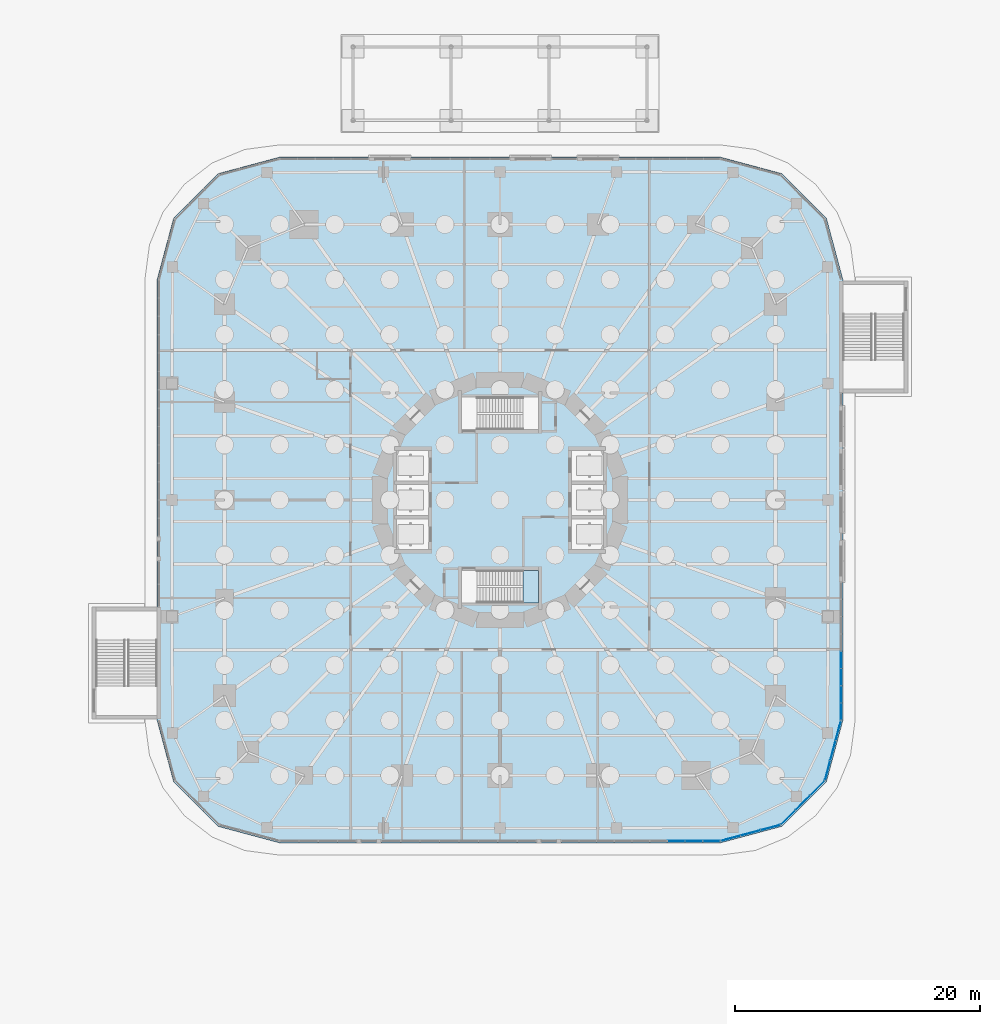
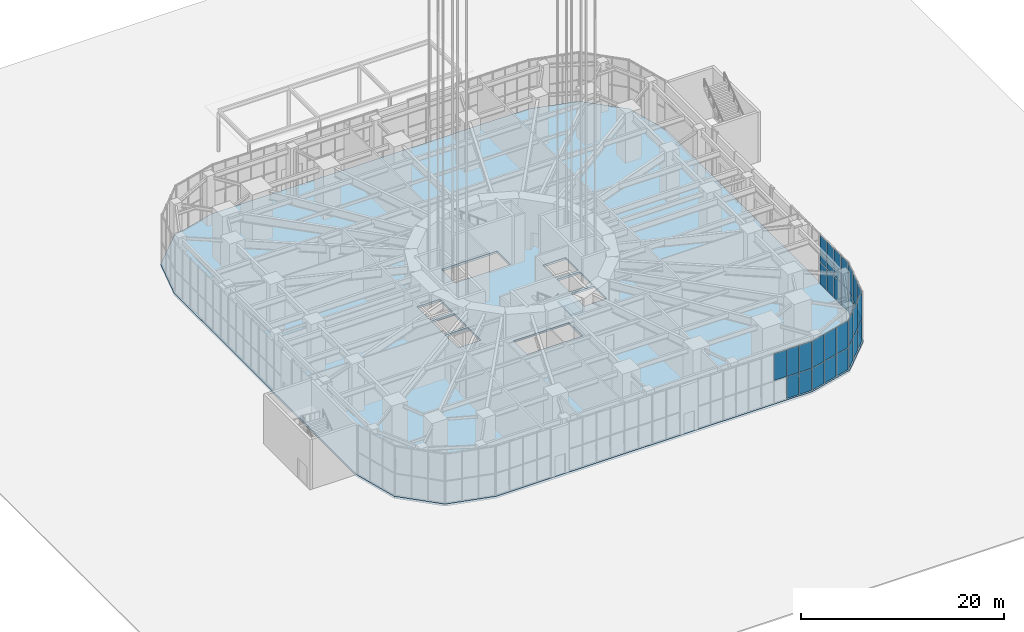
# One storey, part 21 of 43: 31 plates, 2 slabs, 6 elements without a shape of their own.
"""IFC4 building model written with IfcOpenShell, lengths in metres."""

from ifc_helpers import new_model, si_unit, direction, frame, origin, origin_2d, place, context, subcontext, project, spatial, polyline, rectangle, outline, extrude, material, layer, layer_set, type_object, element, aggregate, save


model = new_model("IFC4")

# Units and contexts
model_context = context("Model", 3, precision=1e-05, world=origin(), true_north=direction((0.0, 1.0)))
body_context = subcontext(model_context, "Body", "Model", "MODEL_VIEW")
ifc_project = project(units=[si_unit("LENGTHUNIT", "METRE"), si_unit("AREAUNIT", "SQUARE_METRE"), si_unit("VOLUMEUNIT", "CUBIC_METRE"), si_unit("PLANEANGLEUNIT", "RADIAN"), si_unit("MASSUNIT", "GRAM", prefix="KILO")], contexts=[model_context])

# Site, building, storey
site_placement = place(None, origin())
site = spatial("IfcSite", under=ifc_project, at=site_placement, CompositionType="ELEMENT")
building_placement = place(site_placement, origin())
building = spatial("IfcBuilding", under=site, at=building_placement, Name="Nakasero Lantern House", CompositionType="ELEMENT")
storey_placement = place(building_placement, origin())
storey = spatial("IfcBuildingStorey", under=building, at=storey_placement, Name="L00", CompositionType="ELEMENT", Elevation=0.0)

# Curtain wall, plates
ifc_material_1 = material(Name="Aluminium 6063-T6 and glass", Category="aluminium")
curtain_wall_type = type_object("IfcCurtainWallType", Name="Podium shopfront glazing CW-1", PredefinedType="USERDEFINED", material=ifc_material_1)
curtain_wall_1_placement = place(storey_placement, origin())
curtain_wall_1 = element("IfcCurtainWall", 1, at=curtain_wall_1_placement, inside=storey, type_object=curtain_wall_type, Name="Curtain wall CW-1 L00", ObjectType="STICK CURTAIN WALL", PredefinedType="USERDEFINED")
ifc_material_2 = material(Name="Glass", Category="glass")
ifc_layer_1 = layer(ifc_material_2, 0.028076171875)
ifc_layer_set_1 = layer_set([ifc_layer_1], Name="Glazed panel CW-1")
plate_type = type_object("IfcPlateType", Name="Glazed panel CW-1", PredefinedType="CURTAIN_PANEL", material=ifc_layer_set_1)
plate_1_placement = place(storey_placement, frame((27.85009765625, -17.27880859375, 0.06005859375), z_axis=(0.0, 0.0, 1.0), x_axis=(0.0, 1.0, 0.0)))
plate_1 = element("IfcPlate", 2, at=plate_1_placement, type_object=plate_type, Name="CW-1 panel 1.1", PredefinedType="CURTAIN_PANEL", context=body_context, shape_type="SweptSolid", body=[
    extrude(rectangle(XDim=1.322509765625, YDim=0.028076171875, at=origin_2d()), origin(), (0.0, 0.0, 1.0), 2.610107421875),
])
plate_2_placement = place(storey_placement, frame((27.85009765625, -17.27880859375, 2.72998046875), z_axis=(0.0, 0.0, 1.0), x_axis=(0.0, 1.0, 0.0)))
plate_2 = element("IfcPlate", 3, at=plate_2_placement, type_object=plate_type, Name="CW-1 panel 1.2", PredefinedType="CURTAIN_PANEL", context=body_context, shape_type="SweptSolid", body=[
    extrude(rectangle(XDim=1.322509765625, YDim=0.028076171875, at=origin_2d()), origin(), (0.0, 0.0, 1.0), 3.2099609375),
])
plate_3_placement = place(storey_placement, frame((27.85009765625, -15.88134765625, 0.06005859375), z_axis=(0.0, 0.0, 1.0), x_axis=(0.0, 1.0, 0.0)))
plate_3 = element("IfcPlate", 4, at=plate_3_placement, type_object=plate_type, Name="CW-1 panel 2.1", PredefinedType="CURTAIN_PANEL", context=body_context, shape_type="SweptSolid", body=[
    extrude(rectangle(XDim=1.3525390625, YDim=0.028076171875, at=origin_2d()), origin(), (0.0, 0.0, 1.0), 2.610107421875),
])
plate_4_placement = place(storey_placement, frame((27.85009765625, -15.88134765625, 2.72998046875), z_axis=(0.0, 0.0, 1.0), x_axis=(0.0, 1.0, 0.0)))
plate_4 = element("IfcPlate", 5, at=plate_4_placement, type_object=plate_type, Name="CW-1 panel 2.2", PredefinedType="CURTAIN_PANEL", context=body_context, shape_type="SweptSolid", body=[
    extrude(rectangle(XDim=1.3525390625, YDim=0.028076171875, at=origin_2d()), origin(), (0.0, 0.0, 1.0), 3.2099609375),
])
plate_5_placement = place(storey_placement, frame((27.85009765625, -14.46875, 0.06005859375), z_axis=(0.0, 0.0, 1.0), x_axis=(0.0, 1.0, 0.0)))
plate_5 = element("IfcPlate", 6, at=plate_5_placement, type_object=plate_type, Name="CW-1 panel 3.1", PredefinedType="CURTAIN_PANEL", context=body_context, shape_type="SweptSolid", body=[
    extrude(rectangle(XDim=1.3525390625, YDim=0.028076171875, at=origin_2d()), origin(), (0.0, 0.0, 1.0), 2.610107421875),
])
plate_6_placement = place(storey_placement, frame((27.85009765625, -14.46875, 2.72998046875), z_axis=(0.0, 0.0, 1.0), x_axis=(0.0, 1.0, 0.0)))
plate_6 = element("IfcPlate", 7, at=plate_6_placement, type_object=plate_type, Name="CW-1 panel 3.2", PredefinedType="CURTAIN_PANEL", context=body_context, shape_type="SweptSolid", body=[
    extrude(rectangle(XDim=1.3525390625, YDim=0.028076171875, at=origin_2d()), origin(), (0.0, 0.0, 1.0), 3.2099609375),
])
plate_7_placement = place(storey_placement, frame((27.85009765625, -13.05615234375, 0.06005859375), z_axis=(0.0, 0.0, 1.0), x_axis=(0.0, 1.0, 0.0)))
plate_7 = element("IfcPlate", 8, at=plate_7_placement, type_object=plate_type, Name="CW-1 panel 4.1", PredefinedType="CURTAIN_PANEL", context=body_context, shape_type="SweptSolid", body=[
    extrude(rectangle(XDim=1.3525390625, YDim=0.028076171875, at=origin_2d()), origin(), (0.0, 0.0, 1.0), 2.610107421875),
])
plate_8_placement = place(storey_placement, frame((27.85009765625, -13.05615234375, 2.72998046875), z_axis=(0.0, 0.0, 1.0), x_axis=(0.0, 1.0, 0.0)))
plate_8 = element("IfcPlate", 9, at=plate_8_placement, type_object=plate_type, Name="CW-1 panel 4.2", PredefinedType="CURTAIN_PANEL", context=body_context, shape_type="SweptSolid", body=[
    extrude(rectangle(XDim=1.3525390625, YDim=0.028076171875, at=origin_2d()), origin(), (0.0, 0.0, 1.0), 3.2099609375),
])
aggregate(curtain_wall_1, [plate_1, plate_2, plate_3, plate_4, plate_5, plate_6, plate_7, plate_8])

curtain_wall_2_placement = place(storey_placement, origin())
curtain_wall_2 = element("IfcCurtainWall", 10, at=curtain_wall_2_placement, inside=storey, type_object=curtain_wall_type, Name="Curtain wall CW-1 L00", ObjectType="STICK CURTAIN WALL", PredefinedType="USERDEFINED")
plate_9_placement = place(storey_placement, frame((14.388916015625, -27.85009765625, 2.72998046875), z_axis=(0.0, 0.0, 1.0), x_axis=(1.0, 0.0, 0.0)))
plate_9 = element("IfcPlate", 11, at=plate_9_placement, type_object=plate_type, Name="CW-1 panel 7.2", PredefinedType="CURTAIN_PANEL", context=body_context, shape_type="SweptSolid", body=[
    extrude(rectangle(XDim=1.384521484375, YDim=0.028076171875, at=origin_2d()), origin(), (0.0, 0.0, 1.0), 3.2099609375),
])
plate_10_placement = place(storey_placement, frame((15.833251953125, -27.85009765625, 0.06005859375), z_axis=(0.0, 0.0, 1.0), x_axis=(1.0, 0.0, 0.0)))
plate_10 = element("IfcPlate", 12, at=plate_10_placement, type_object=plate_type, Name="CW-1 panel 8.1", PredefinedType="CURTAIN_PANEL", context=body_context, shape_type="SweptSolid", body=[
    extrude(rectangle(XDim=1.384521484375, YDim=0.028076171875, at=origin_2d()), origin(), (0.0, 0.0, 1.0), 2.610107421875),
])
plate_11_placement = place(storey_placement, frame((15.833251953125, -27.85009765625, 2.72998046875), z_axis=(0.0, 0.0, 1.0), x_axis=(1.0, 0.0, 0.0)))
plate_11 = element("IfcPlate", 13, at=plate_11_placement, type_object=plate_type, Name="CW-1 panel 8.2", PredefinedType="CURTAIN_PANEL", context=body_context, shape_type="SweptSolid", body=[
    extrude(rectangle(XDim=1.384521484375, YDim=0.028076171875, at=origin_2d()), origin(), (0.0, 0.0, 1.0), 3.2099609375),
])
plate_12_placement = place(storey_placement, frame((17.2626953125, -27.85009765625, 0.06005859375), z_axis=(0.0, 0.0, 1.0), x_axis=(1.0, 0.0, 0.0)))
plate_12 = element("IfcPlate", 14, at=plate_12_placement, type_object=plate_type, Name="CW-1 panel 9.1", PredefinedType="CURTAIN_PANEL", context=body_context, shape_type="SweptSolid", body=[
    extrude(rectangle(XDim=1.3544921875, YDim=0.028076171875, at=origin_2d()), origin(), (0.0, 0.0, 1.0), 2.610107421875),
])
plate_13_placement = place(storey_placement, frame((17.2626953125, -27.85009765625, 2.72998046875), z_axis=(0.0, 0.0, 1.0), x_axis=(1.0, 0.0, 0.0)))
plate_13 = element("IfcPlate", 15, at=plate_13_placement, type_object=plate_type, Name="CW-1 panel 9.2", PredefinedType="CURTAIN_PANEL", context=body_context, shape_type="SweptSolid", body=[
    extrude(rectangle(XDim=1.3544921875, YDim=0.028076171875, at=origin_2d()), origin(), (0.0, 0.0, 1.0), 3.2099609375),
])
aggregate(curtain_wall_2, [plate_9, plate_10, plate_11, plate_12, plate_13])

curtain_wall_3_placement = place(storey_placement, origin())
curtain_wall_3 = element("IfcCurtainWall", 16, at=curtain_wall_3_placement, inside=storey, type_object=curtain_wall_type, Name="Curtain wall CW-1 L00", ObjectType="STICK CURTAIN WALL", PredefinedType="USERDEFINED")
plate_14_placement = place(storey_placement, frame((18.835205078125, -27.626220703125, 0.06005859375), z_axis=(0.0, 0.0, 1.0), x_axis=(0.965925826276, 0.258819045153, 0.0)))
plate_14 = element("IfcPlate", 17, at=plate_14_placement, type_object=plate_type, Name="CW-1 panel 1.1", PredefinedType="CURTAIN_PANEL", context=body_context, shape_type="SweptSolid", body=[
    extrude(rectangle(XDim=1.609619140625, YDim=0.028076171875, at=origin_2d()), origin(), (0.0, 0.0, 1.0), 2.610107421875),
])
plate_15_placement = place(storey_placement, frame((18.835205078125, -27.626220703125, 2.72998046875), z_axis=(0.0, 0.0, 1.0), x_axis=(0.965925826276, 0.258819045153, 0.0)))
plate_15 = element("IfcPlate", 18, at=plate_15_placement, type_object=plate_type, Name="CW-1 panel 1.2", PredefinedType="CURTAIN_PANEL", context=body_context, shape_type="SweptSolid", body=[
    extrude(rectangle(XDim=1.609619140625, YDim=0.028076171875, at=origin_2d()), origin(), (0.0, 0.0, 1.0), 3.2099609375),
])
plate_16_placement = place(storey_placement, frame((20.46240234375, -27.190185546875, 0.06005859375), z_axis=(0.0, 0.0, 1.0), x_axis=(0.965925826276, 0.258819045153, 0.0)))
plate_16 = element("IfcPlate", 19, at=plate_16_placement, type_object=plate_type, Name="CW-1 panel 2.1", PredefinedType="CURTAIN_PANEL", context=body_context, shape_type="SweptSolid", body=[
    extrude(rectangle(XDim=1.6396484375, YDim=0.028076171875, at=origin_2d()), origin(), (0.0, 0.0, 1.0), 2.610107421875),
])
plate_17_placement = place(storey_placement, frame((20.46240234375, -27.190185546875, 2.72998046875), z_axis=(0.0, 0.0, 1.0), x_axis=(0.965925826276, 0.258819045153, 0.0)))
plate_17 = element("IfcPlate", 20, at=plate_17_placement, type_object=plate_type, Name="CW-1 panel 2.2", PredefinedType="CURTAIN_PANEL", context=body_context, shape_type="SweptSolid", body=[
    extrude(rectangle(XDim=1.6396484375, YDim=0.028076171875, at=origin_2d()), origin(), (0.0, 0.0, 1.0), 3.2099609375),
])
plate_18_placement = place(storey_placement, frame((22.089599609375, -26.754150390625, 0.06005859375), z_axis=(0.0, 0.0, 1.0), x_axis=(0.965925826276, 0.258819045153, 0.0)))
plate_18 = element("IfcPlate", 21, at=plate_18_placement, type_object=plate_type, Name="CW-1 panel 3.1", PredefinedType="CURTAIN_PANEL", context=body_context, shape_type="SweptSolid", body=[
    extrude(rectangle(XDim=1.609619140625, YDim=0.028076171875, at=origin_2d()), origin(), (0.0, 0.0, 1.0), 2.610107421875),
])
plate_19_placement = place(storey_placement, frame((22.089599609375, -26.754150390625, 2.72998046875), z_axis=(0.0, 0.0, 1.0), x_axis=(0.965925826276, 0.258819045153, 0.0)))
plate_19 = element("IfcPlate", 22, at=plate_19_placement, type_object=plate_type, Name="CW-1 panel 3.2", PredefinedType="CURTAIN_PANEL", context=body_context, shape_type="SweptSolid", body=[
    extrude(rectangle(XDim=1.609619140625, YDim=0.028076171875, at=origin_2d()), origin(), (0.0, 0.0, 1.0), 3.2099609375),
])
aggregate(curtain_wall_3, [plate_14, plate_15, plate_16, plate_17, plate_18, plate_19])

curtain_wall_4_placement = place(storey_placement, origin())
curtain_wall_4 = element("IfcCurtainWall", 23, at=curtain_wall_4_placement, inside=storey, type_object=curtain_wall_type, Name="Curtain wall CW-1 L00", ObjectType="STICK CURTAIN WALL", PredefinedType="USERDEFINED")
plate_20_placement = place(storey_placement, frame((23.536376953125, -25.9189453125, 0.06005859375), z_axis=(0.0, 0.0, 1.0), x_axis=(0.707106781187, 0.707106781187, 0.0)))
plate_20 = element("IfcPlate", 24, at=plate_20_placement, type_object=plate_type, Name="CW-1 panel 1.1", PredefinedType="CURTAIN_PANEL", context=body_context, shape_type="SweptSolid", body=[
    extrude(rectangle(XDim=1.609619140625, YDim=0.028076171875, at=origin_2d()), origin(), (0.0, 0.0, 1.0), 2.610107421875),
])
plate_21_placement = place(storey_placement, frame((23.536376953125, -25.9189453125, 2.72998046875), z_axis=(0.0, 0.0, 1.0), x_axis=(0.707106781187, 0.707106781187, 0.0)))
plate_21 = element("IfcPlate", 25, at=plate_21_placement, type_object=plate_type, Name="CW-1 panel 1.2", PredefinedType="CURTAIN_PANEL", context=body_context, shape_type="SweptSolid", body=[
    extrude(rectangle(XDim=1.609619140625, YDim=0.028076171875, at=origin_2d()), origin(), (0.0, 0.0, 1.0), 3.2099609375),
])
plate_22_placement = place(storey_placement, frame((24.727783203125, -24.727783203125, 0.06005859375), z_axis=(0.0, 0.0, 1.0), x_axis=(0.707106781187, 0.707106781187, 0.0)))
plate_22 = element("IfcPlate", 26, at=plate_22_placement, type_object=plate_type, Name="CW-1 panel 2.1", PredefinedType="CURTAIN_PANEL", context=body_context, shape_type="SweptSolid", body=[
    extrude(rectangle(XDim=1.6396484375, YDim=0.028076171875, at=origin_2d()), origin(), (0.0, 0.0, 1.0), 2.610107421875),
])
plate_23_placement = place(storey_placement, frame((24.727783203125, -24.727783203125, 2.72998046875), z_axis=(0.0, 0.0, 1.0), x_axis=(0.707106781187, 0.707106781187, 0.0)))
plate_23 = element("IfcPlate", 27, at=plate_23_placement, type_object=plate_type, Name="CW-1 panel 2.2", PredefinedType="CURTAIN_PANEL", context=body_context, shape_type="SweptSolid", body=[
    extrude(rectangle(XDim=1.6396484375, YDim=0.028076171875, at=origin_2d()), origin(), (0.0, 0.0, 1.0), 3.2099609375),
])
plate_24_placement = place(storey_placement, frame((25.9189453125, -23.536376953125, 0.06005859375), z_axis=(0.0, 0.0, 1.0), x_axis=(0.707106781187, 0.707106781187, 0.0)))
plate_24 = element("IfcPlate", 28, at=plate_24_placement, type_object=plate_type, Name="CW-1 panel 3.1", PredefinedType="CURTAIN_PANEL", context=body_context, shape_type="SweptSolid", body=[
    extrude(rectangle(XDim=1.609619140625, YDim=0.028076171875, at=origin_2d()), origin(), (0.0, 0.0, 1.0), 2.610107421875),
])
plate_25_placement = place(storey_placement, frame((25.9189453125, -23.536376953125, 2.72998046875), z_axis=(0.0, 0.0, 1.0), x_axis=(0.707106781187, 0.707106781187, 0.0)))
plate_25 = element("IfcPlate", 29, at=plate_25_placement, type_object=plate_type, Name="CW-1 panel 3.2", PredefinedType="CURTAIN_PANEL", context=body_context, shape_type="SweptSolid", body=[
    extrude(rectangle(XDim=1.609619140625, YDim=0.028076171875, at=origin_2d()), origin(), (0.0, 0.0, 1.0), 3.2099609375),
])
aggregate(curtain_wall_4, [plate_20, plate_21, plate_22, plate_23, plate_24, plate_25])

curtain_wall_5_placement = place(storey_placement, origin())
curtain_wall_5 = element("IfcCurtainWall", 30, at=curtain_wall_5_placement, inside=storey, type_object=curtain_wall_type, Name="Curtain wall CW-1 L00", ObjectType="STICK CURTAIN WALL", PredefinedType="USERDEFINED")
plate_26_placement = place(storey_placement, frame((26.754150390625, -22.089599609375, 0.06005859375), z_axis=(0.0, 0.0, 1.0), x_axis=(0.258819045153, 0.965925826276, 0.0)))
plate_26 = element("IfcPlate", 31, at=plate_26_placement, type_object=plate_type, Name="CW-1 panel 1.1", PredefinedType="CURTAIN_PANEL", context=body_context, shape_type="SweptSolid", body=[
    extrude(rectangle(XDim=1.609619140625, YDim=0.028076171875, at=origin_2d()), origin(), (0.0, 0.0, 1.0), 2.610107421875),
])
plate_27_placement = place(storey_placement, frame((26.754150390625, -22.089599609375, 2.72998046875), z_axis=(0.0, 0.0, 1.0), x_axis=(0.258819045153, 0.965925826276, 0.0)))
plate_27 = element("IfcPlate", 32, at=plate_27_placement, type_object=plate_type, Name="CW-1 panel 1.2", PredefinedType="CURTAIN_PANEL", context=body_context, shape_type="SweptSolid", body=[
    extrude(rectangle(XDim=1.609619140625, YDim=0.028076171875, at=origin_2d()), origin(), (0.0, 0.0, 1.0), 3.2099609375),
])
plate_28_placement = place(storey_placement, frame((27.190185546875, -20.46240234375, 0.06005859375), z_axis=(0.0, 0.0, 1.0), x_axis=(0.258819045153, 0.965925826276, 0.0)))
plate_28 = element("IfcPlate", 33, at=plate_28_placement, type_object=plate_type, Name="CW-1 panel 2.1", PredefinedType="CURTAIN_PANEL", context=body_context, shape_type="SweptSolid", body=[
    extrude(rectangle(XDim=1.6396484375, YDim=0.028076171875, at=origin_2d()), origin(), (0.0, 0.0, 1.0), 2.610107421875),
])
plate_29_placement = place(storey_placement, frame((27.190185546875, -20.46240234375, 2.72998046875), z_axis=(0.0, 0.0, 1.0), x_axis=(0.258819045153, 0.965925826276, 0.0)))
plate_29 = element("IfcPlate", 34, at=plate_29_placement, type_object=plate_type, Name="CW-1 panel 2.2", PredefinedType="CURTAIN_PANEL", context=body_context, shape_type="SweptSolid", body=[
    extrude(rectangle(XDim=1.6396484375, YDim=0.028076171875, at=origin_2d()), origin(), (0.0, 0.0, 1.0), 3.2099609375),
])
plate_30_placement = place(storey_placement, frame((27.626220703125, -18.835205078125, 0.06005859375), z_axis=(0.0, 0.0, 1.0), x_axis=(0.258819045153, 0.965925826276, 0.0)))
plate_30 = element("IfcPlate", 35, at=plate_30_placement, type_object=plate_type, Name="CW-1 panel 3.1", PredefinedType="CURTAIN_PANEL", context=body_context, shape_type="SweptSolid", body=[
    extrude(rectangle(XDim=1.609619140625, YDim=0.028076171875, at=origin_2d()), origin(), (0.0, 0.0, 1.0), 2.610107421875),
])
plate_31_placement = place(storey_placement, frame((27.626220703125, -18.835205078125, 2.72998046875), z_axis=(0.0, 0.0, 1.0), x_axis=(0.258819045153, 0.965925826276, 0.0)))
plate_31 = element("IfcPlate", 36, at=plate_31_placement, type_object=plate_type, Name="CW-1 panel 3.2", PredefinedType="CURTAIN_PANEL", context=body_context, shape_type="SweptSolid", body=[
    extrude(rectangle(XDim=1.609619140625, YDim=0.028076171875, at=origin_2d()), origin(), (0.0, 0.0, 1.0), 3.2099609375),
])
aggregate(curtain_wall_5, [plate_26, plate_27, plate_28, plate_29, plate_30, plate_31])

# Slab
ifc_material_3 = material(Name="Concrete C40/50", Category="concrete")
ifc_layer_2 = layer(ifc_material_3, 0.25)
ifc_layer_set_2 = layer_set([ifc_layer_2], Name="Ground slab 250")
slab_type_1 = type_object("IfcSlabType", Name="Ground slab 250", PredefinedType="BASESLAB", material=ifc_layer_set_2)
slab_1_placement = place(storey_placement, frame((0.0, 0.0, -0.25)))
element("IfcSlab", 37, at=slab_1_placement, inside=storey, type_object=slab_type_1, Name="Floor slab L00", PredefinedType="BASESLAB", context=body_context, shape_type="SweptSolid", body=[
    extrude(outline(polyline([(28.0, 18.0), (26.66015625, 23.0), (23.0, 26.66015625), (18.0, 28.0), (-18.0, 28.0), (-23.0, 26.66015625), (-26.66015625, 23.0), (-28.0, 18.0), (-28.0, -18.0), (-26.66015625, -23.0), (-23.0, -26.66015625), (-18.0, -28.0), (18.0, -28.0), (23.0, -26.66015625), (26.66015625, -23.0), (28.0, -18.0), (28.0, 18.0)]), holes=[polyline([(-8.449951171875, -4.050048828125), (-5.85009765625, -4.050048828125), (-5.85009765625, -1.550048828125), (-8.449951171875, -1.550048828125), (-8.449951171875, -4.050048828125)]), polyline([(-8.449951171875, -1.25), (-5.85009765625, -1.25), (-5.85009765625, 1.25), (-8.449951171875, 1.25), (-8.449951171875, -1.25)]), polyline([(-8.449951171875, 1.550048828125), (-5.85009765625, 1.550048828125), (-5.85009765625, 4.050048828125), (-8.449951171875, 4.050048828125), (-8.449951171875, 1.550048828125)]), polyline([(5.85009765625, -4.050048828125), (8.449951171875, -4.050048828125), (8.449951171875, -1.550048828125), (5.85009765625, -1.550048828125), (5.85009765625, -4.050048828125)]), polyline([(5.85009765625, -1.25), (8.449951171875, -1.25), (8.449951171875, 1.25), (5.85009765625, 1.25), (5.85009765625, -1.25)]), polyline([(5.85009765625, 1.550048828125), (8.449951171875, 1.550048828125), (8.449951171875, 4.050048828125), (5.85009765625, 4.050048828125), (5.85009765625, 1.550048828125)]), polyline([(-3.14990234375, 5.75), (3.14990234375, 5.75), (3.14990234375, 8.39990234375), (-3.14990234375, 8.39990234375), (-3.14990234375, 5.75)]), polyline([(-3.14990234375, -8.39990234375), (3.14990234375, -8.39990234375), (3.14990234375, -5.75), (-3.14990234375, -5.75), (-3.14990234375, -8.39990234375)])]), origin(), (0.0, 0.0, 1.0), 0.25),
])

# Stair, slab
ifc_material_4 = material(Name="Concrete C40/50", Category="concrete")
stair_type = type_object("IfcStairType", Name="Escape stair ST2 32 risers", PredefinedType="HALF_TURN_STAIR", material=ifc_material_4)
stair_placement = place(storey_placement, origin())
stair = element("IfcStair", 38, at=stair_placement, inside=storey, type_object=stair_type, Name="Escape stair ST2 L00", PredefinedType="HALF_TURN_STAIR")
ifc_material_5 = material(Name="Concrete C40/50", Category="concrete")
ifc_layer_3 = layer(ifc_material_5, 0.199951171875)
ifc_layer_set_3 = layer_set([ifc_layer_3], Name="Stair landing 200")
slab_type_2 = type_object("IfcSlabType", Name="Stair landing 200", PredefinedType="LANDING", material=ifc_layer_set_3)
slab_2_placement = place(storey_placement, frame((0.0, 0.0, 2.800048828125)))
slab_2 = element("IfcSlab", 39, at=slab_2_placement, type_object=slab_type_2, Name="ST2 landing 2", PredefinedType="LANDING", context=body_context, shape_type="SweptSolid", body=[
    extrude(outline(polyline([(1.875, -8.39990234375), (3.14990234375, -8.39990234375), (3.14990234375, -5.75), (1.875, -5.75), (1.875, -8.39990234375)])), origin(), (0.0, 0.0, 1.0), 0.199951171875),
])
aggregate(stair, [slab_2])

save(model, "model.ifc")
